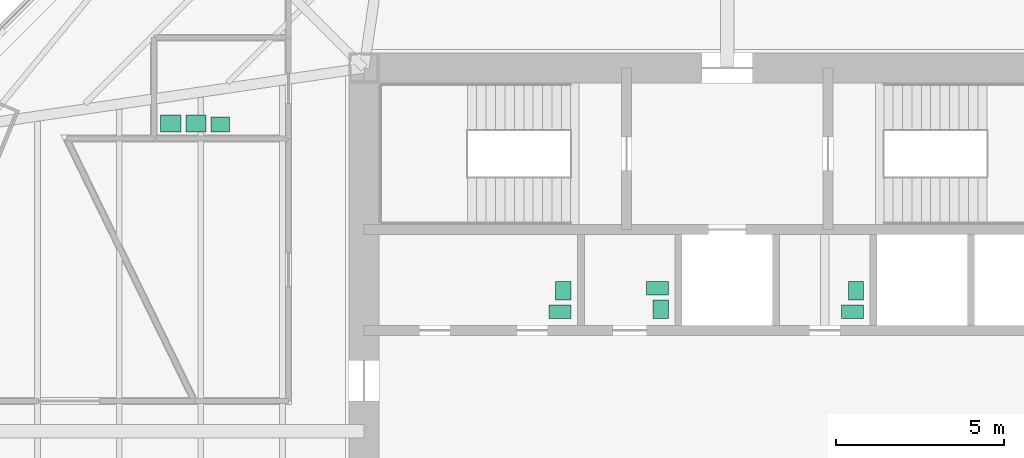
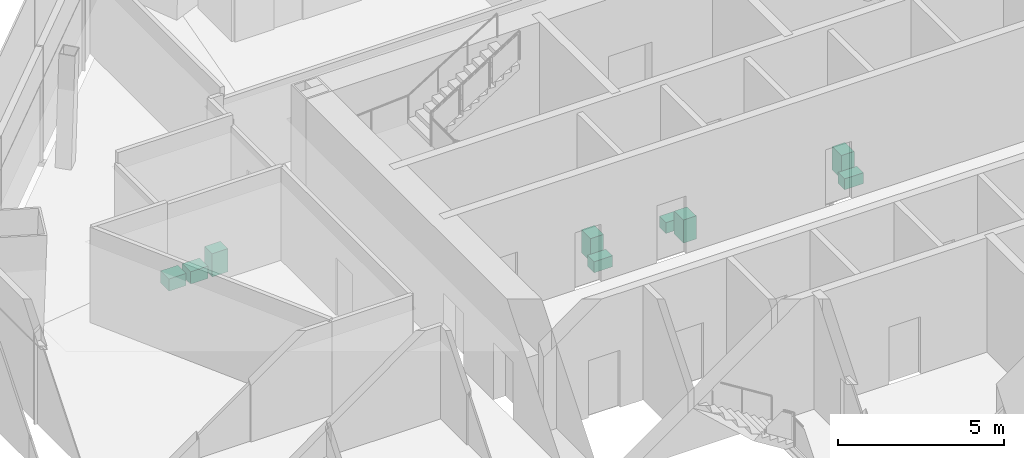
# One storey, part 15 of 15: 9 sanitary terminals.
"""IFC4 building model written with IfcOpenShell, lengths in metres."""

import ifcopenshell
import ifcopenshell.guid

model = None  # the IFC model being written
_history = None  # IfcOwnerHistory: only IFC2X3 demands one
_inside = {}  # id of a spatial element -> (the spatial element, [elements in it])
_under = {}  # id of a project, library or spatial element -> (it, [spatial elements below it])
_declared = {}  # id of a project -> (the project, [libraries it declares])
_typed = {}  # id of a type object -> (the type object, [elements of that type])
_made_of = {}  # id of a material, layer set ... -> (it, [elements and type objects made of it])


def new_model(schema):
    """Start an empty IFC model of exactly this schema.

    Asked for "IFC4X3", IfcOpenShell would pick the latest addendum, in which some entities
    have other attributes; the version numbers below select the first issue.
    IFC2X3 requires an IfcOwnerHistory on every rooted entity: one is made here for all.
    """
    global model, _history
    if schema == "IFC4X3":
        model = ifcopenshell.file(schema_version=(4, 3, 0, 0))
    else:
        model = ifcopenshell.file(schema=schema)
    _inside.clear()
    _under.clear()
    _declared.clear()
    _typed.clear()
    _made_of.clear()
    _history = None
    if model.schema == "IFC2X3":
        org = make("IfcOrganization", Name="unknown")
        user = make(
            "IfcPersonAndOrganization",
            ThePerson=make("IfcPerson", FamilyName="unknown"),
            TheOrganization=org,
        )
        app = make(
            "IfcApplication",
            ApplicationDeveloper=org,
            Version="unknown",
            ApplicationFullName="unknown",
            ApplicationIdentifier="unknown",
        )
        _history = make(
            "IfcOwnerHistory",
            OwningUser=user,
            OwningApplication=app,
            ChangeAction="ADDED",
            CreationDate=0,
        )
    return model


def make(cls, **values):
    """One entity of the class cls with the attributes given. An attribute that is None is left unset."""
    return model.create_entity(
        cls, **{name: value for name, value in values.items() if value is not None}
    )


def rooted(cls, **values):
    """An entity with a GlobalId (a new one), such as an element, a storey or a relation."""
    return make(cls, GlobalId=ifcopenshell.guid.new(), OwnerHistory=_history, **values)


def si_unit(unit_type, name, prefix=None):
    """IfcSIUnit, for example si_unit("LENGTHUNIT", "METRE", prefix="MILLI")."""
    return make("IfcSIUnit", UnitType=unit_type, Prefix=prefix, Name=name)


def assignment(units):
    """IfcUnitAssignment: the units of a project."""
    return None if units is None else make("IfcUnitAssignment", Units=units)


def point(xyz):
    """IfcCartesianPoint."""
    return None if xyz is None else make("IfcCartesianPoint", Coordinates=xyz)


def direction(xyz):
    """IfcDirection."""
    return None if xyz is None else make("IfcDirection", DirectionRatios=xyz)


def frame(location, z_axis=None, x_axis=None):
    """IfcAxis2Placement3D, a coordinate frame: its origin and axes. An axis left out is left unset."""
    return make(
        "IfcAxis2Placement3D",
        Location=point(location),
        Axis=direction(z_axis),
        RefDirection=direction(x_axis),
    )


def frame_2d(location, x_axis=None):
    """IfcAxis2Placement2D, a coordinate frame in the plane: its origin and x axis."""
    return make(
        "IfcAxis2Placement2D", Location=point(location), RefDirection=direction(x_axis)
    )


def origin():
    """The frame at (0, 0, 0) with its axes left unset."""
    return frame((0.0, 0.0, 0.0))


def origin_2d():
    """The frame at (0, 0) in the plane with its x axis left unset."""
    return frame_2d((0.0, 0.0))


def place(relative_to, where):
    """IfcLocalPlacement: puts the frame where relative to a parent placement (None: the world)."""
    return make(
        "IfcLocalPlacement", PlacementRelTo=relative_to, RelativePlacement=where
    )


def context(
    kind, dimensions, precision=None, world=None, true_north=None, identifier=None
):
    """IfcGeometricRepresentationContext, for example the 3D "Model" context."""
    return make(
        "IfcGeometricRepresentationContext",
        ContextIdentifier=identifier,
        ContextType=kind,
        CoordinateSpaceDimension=dimensions,
        Precision=precision,
        WorldCoordinateSystem=world,
        TrueNorth=true_north,
    )


def subcontext(parent, identifier, kind, view, scale=None):
    """IfcGeometricRepresentationSubContext, for example "Body" below "Model"."""
    return make(
        "IfcGeometricRepresentationSubContext",
        ContextIdentifier=identifier,
        ContextType=kind,
        ParentContext=parent,
        TargetScale=scale,
        TargetView=view,
    )


def project(units=None, contexts=None):
    """IfcProject with its units and contexts."""
    return rooted(
        "IfcProject",
        Name="project",
        RepresentationContexts=contexts,
        UnitsInContext=assignment(units),
    )


def spatial(cls, under=None, at=None, **own):
    """A site, building, storey or space (cls), placed at a placement, below another one or the project."""
    s = rooted(cls, ObjectPlacement=at, **own)
    if under is not None:
        _under.setdefault(under.id(), (under, []))[1].append(s)
    return s


def profile(cls, at=None, kind="AREA", **sizes):
    """A parametric profile (cls). Its sizes go by their IFC names, for example OverallWidth=200.0."""
    return make(cls, ProfileType=kind, Position=at, **sizes)


def rectangle(**sizes):
    """IfcRectangleProfileDef."""
    return profile("IfcRectangleProfileDef", **sizes)


def extrude(swept, where, along, depth):
    """IfcExtrudedAreaSolid: the profile swept, set in the frame where, extruded along a direction by depth."""
    return make(
        "IfcExtrudedAreaSolid",
        SweptArea=swept,
        Position=where,
        ExtrudedDirection=direction(along),
        Depth=depth,
    )


def shape(context_of_items, identifier, shape_type, items):
    """IfcShapeRepresentation: the items that make up one representation, for example the "Body"."""
    return make(
        "IfcShapeRepresentation",
        ContextOfItems=context_of_items,
        RepresentationIdentifier=identifier,
        RepresentationType=shape_type,
        Items=items,
    )


def material(Name=None, Category=None):
    """IfcMaterial."""
    return make("IfcMaterial", Name=Name, Category=Category)


def made_of(thing, what):
    """Note that an element or type object is made of a material, layer set ...; save() writes the relation."""
    if what is not None:
        _made_of.setdefault(what.id(), (what, []))[1].append(thing)
    return thing


def type_object(cls, material=None, **own):
    """A type object (cls), such as IfcWallType, which elements share."""
    return made_of(rooted(cls, **own), material)


def element(
    cls,
    number,
    at=None,
    inside=None,
    cuts=None,
    type_object=None,
    material=None,
    context=None,
    identifier="Body",
    shape_type=None,
    held_by="IfcProductDefinitionShape",
    body=None,
    shapes=None,
    **own,
):
    """One element of the class cls, such as IfcWall. Its Tag is "e" and its number.

    at: its placement. inside: the storey or other place that contains it. cuts: it is an
    opening in that element (IfcRelVoidsElement). A single representation is given by context,
    identifier, shape_type and body (its items); several are given by shapes. held_by: the class
    of the entity that holds the representations. save() writes the other relations.
    """
    e = rooted(cls, Tag="e%d" % number, ObjectPlacement=at, **own)
    if body is not None:
        shapes = [shape(context, identifier, shape_type, body)]
    if shapes is not None:
        e.Representation = make(held_by, Representations=shapes)
    if inside is not None:
        _inside.setdefault(inside.id(), (inside, []))[1].append(e)
    if cuts is not None:
        rooted(
            "IfcRelVoidsElement", RelatingBuildingElement=cuts, RelatedOpeningElement=e
        )
    if type_object is not None:
        _typed.setdefault(type_object.id(), (type_object, []))[1].append(e)
    return made_of(e, material)


def aggregate(whole, parts):
    """IfcRelAggregates: a whole, such as a stair, and the parts it consists of."""
    return rooted("IfcRelAggregates", RelatingObject=whole, RelatedObjects=parts)


def save(model, path):
    """Write the relations noted so far, then the file.

    IfcRelAggregates (storeys below a building ...), IfcRelContainedInSpatialStructure (elements
    in a storey), IfcRelDefinesByType, IfcRelAssociatesMaterial and IfcRelDeclares: one each for
    every whole, place, type object, material and project.
    """
    for whole, parts in _under.values():
        aggregate(whole, parts)
    for where, things in _inside.values():
        rooted(
            "IfcRelContainedInSpatialStructure",
            RelatedElements=things,
            RelatingStructure=where,
        )
    for kind, things in _typed.values():
        rooted("IfcRelDefinesByType", RelatedObjects=things, RelatingType=kind)
    for what, things in _made_of.values():
        rooted("IfcRelAssociatesMaterial", RelatedObjects=things, RelatingMaterial=what)
    for by, libraries in _declared.values():
        rooted("IfcRelDeclares", RelatingContext=by, RelatedDefinitions=libraries)
    model.write(path)


model = new_model("IFC4")

# Units and contexts
model_context = context("Model", 3, precision=1e-05, world=origin(), true_north=direction((0.0, 1.0)))
body_context = subcontext(model_context, "Body", "Model", "MODEL_VIEW")
ifc_project = project(units=[si_unit("LENGTHUNIT", "METRE"), si_unit("AREAUNIT", "SQUARE_METRE"), si_unit("VOLUMEUNIT", "CUBIC_METRE"), si_unit("PLANEANGLEUNIT", "RADIAN"), si_unit("MASSUNIT", "GRAM", prefix="KILO")], contexts=[model_context])

# Site, building, storey
site_placement = place(None, origin())
site = spatial("IfcSite", under=ifc_project, at=site_placement, CompositionType="ELEMENT")
building_placement = place(site_placement, origin())
building = spatial("IfcBuilding", under=site, at=building_placement, Name="Mashrafa Tower", CompositionType="ELEMENT")
storey_placement = place(building_placement, frame((0.0, 0.0, 151.199951171875)))
storey = spatial("IfcBuildingStorey", under=building, at=storey_placement, Name="L34", CompositionType="ELEMENT", Elevation=151.199951171875)

# Sanitary terminals
ifc_material_1 = material(Name="Stainless steel", Category="steel")
sanitary_terminal_type_1 = type_object("IfcSanitaryTerminalType", Name="Ablution wash station 600 x 500", PredefinedType="WASHHANDBASIN", material=ifc_material_1)
for number, where, z_axis, x_axis, name in (
    (1, (-16.550048828125, 9.14990234375, 0.0), (0.0, 0.0, 1.0), (1.0, 0.0, 0.0), "Ablution wash station Ablution Room L34"),
    (2, (-15.800048828125, 9.14990234375, 0.0), (0.0, 0.0, 1.0), (1.0, 0.0, 0.0), "Ablution wash station Ablution Room L34"),
):
    element("IfcSanitaryTerminal", number, at=place(storey_placement, frame(where, z_axis=z_axis, x_axis=x_axis)), inside=storey, type_object=sanitary_terminal_type_1, Name=name, PredefinedType="WASHHANDBASIN", context=body_context, shape_type="SweptSolid", body=[
        extrude(rectangle(XDim=0.60009765625, YDim=0.5, at=origin_2d()), origin(), (0.0, 0.0, 1.0), 0.449951171875),
    ])
ifc_material_2 = material(Name="Vitreous china")
sanitary_terminal_type_2 = type_object("IfcSanitaryTerminalType", Name="Toilet pan 400 x 650", PredefinedType="TOILETPAN", material=ifc_material_2)
for number, where, z_axis, x_axis, name in (
    (3, (-4.97509765625, 3.550048828125, 0.0), (0.0, 0.0, 1.0), (0.0, 1.0, 0.0), "Toilet pan WC Female L34"),
    (4, (-2.074951171875, 4.25, 0.0), (0.0, 0.0, 1.0), (0.0, 1.0, 0.0), "Toilet pan Accessible WC L34"),
    (5, (3.72509765625, 3.550048828125, 0.0), (0.0, 0.0, 1.0), (0.0, 1.0, 0.0), "Toilet pan WC Male L34"),
):
    element("IfcSanitaryTerminal", number, at=place(storey_placement, frame(where, z_axis=z_axis, x_axis=x_axis)), inside=storey, type_object=sanitary_terminal_type_2, Name=name, PredefinedType="TOILETPAN", context=body_context, shape_type="SweptSolid", body=[
        extrude(rectangle(XDim=0.39990234375, YDim=0.64990234375, at=origin_2d()), origin(), (0.0, 0.0, 1.0), 0.39990234375),
    ])
ifc_material_3 = material(Name="Vitreous china")
sanitary_terminal_type_3 = type_object("IfcSanitaryTerminalType", Name="Wash basin 550 x 450", PredefinedType="WASHHANDBASIN", material=ifc_material_3)
for number, where, z_axis, x_axis, name in (
    (6, (-4.875, 4.175048828125, 0.0), (0.0, 0.0, 1.0), (0.0, 1.0, 0.0), "Wash basin WC Female L34"),
    (7, (-1.97509765625, 3.625, 0.0), (0.0, 0.0, 1.0), (0.0, 1.0, 0.0), "Wash basin Accessible WC L34"),
    (8, (3.824951171875, 4.175048828125, 0.0), (0.0, 0.0, 1.0), (0.0, 1.0, 0.0), "Wash basin WC Male L34"),
    (9, (-15.074951171875, 9.125, 0.0), (0.0, 0.0, 1.0), (1.0, 0.0, 0.0), "Wash basin Ablution Room L34"),
):
    element("IfcSanitaryTerminal", number, at=place(storey_placement, frame(where, z_axis=z_axis, x_axis=x_axis)), inside=storey, type_object=sanitary_terminal_type_3, Name=name, PredefinedType="WASHHANDBASIN", context=body_context, shape_type="SweptSolid", body=[
        extrude(rectangle(XDim=0.550048828125, YDim=0.449951171875, at=origin_2d()), origin(), (0.0, 0.0, 1.0), 0.85009765625),
    ])

save(model, "model.ifc")
